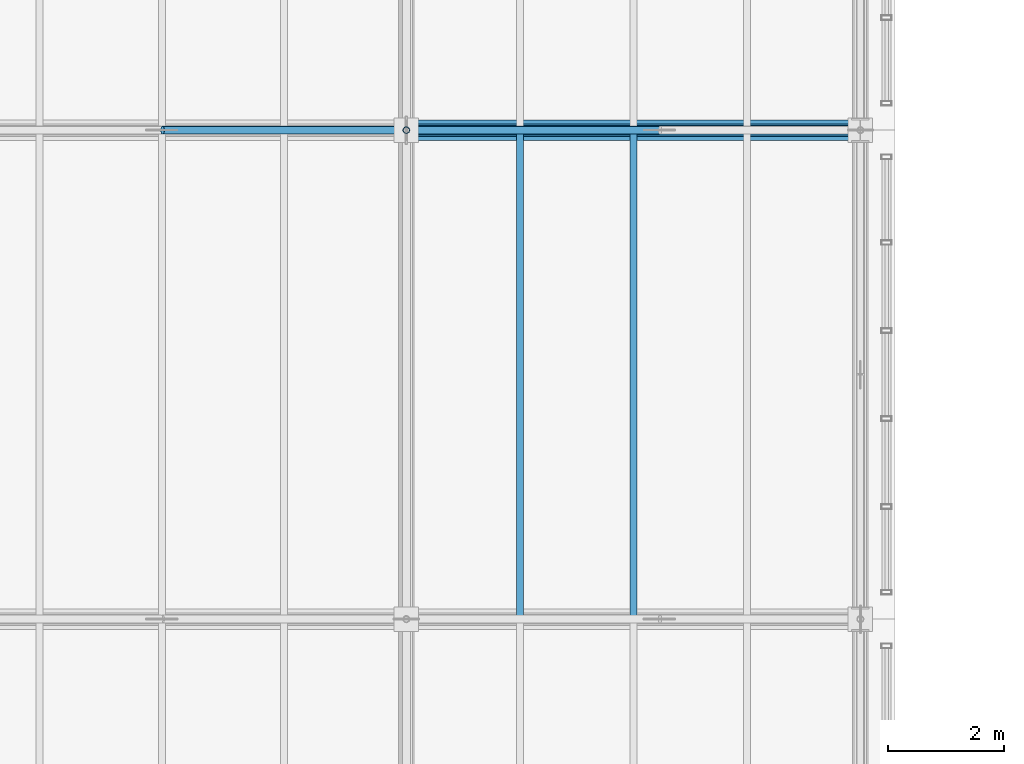
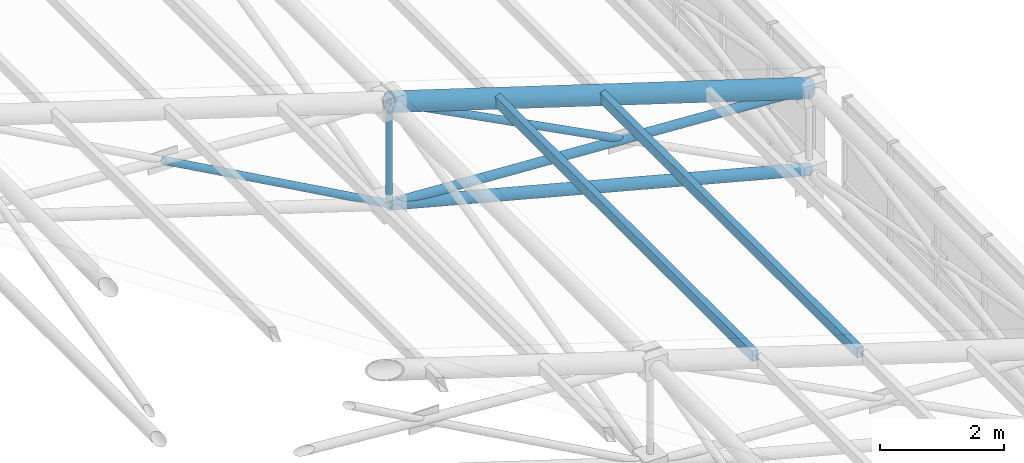
# One storey, part 86 of 144: 8 members.
"""IFC4 building model written with IfcOpenShell, lengths in metres."""

from ifc_helpers import new_model, si_unit, direction, frame, origin, origin_2d, place, context, subcontext, project, spatial, hollow_rectangle, hollow_circle, extrude, material, material_profile, profile_set, type_object, element, save


model = new_model("IFC4")

# Units and contexts
model_context = context("Model", 3, precision=1e-05, world=origin(), true_north=direction((0.0, 1.0)))
body_context = subcontext(model_context, "Body", "Model", "MODEL_VIEW")
ifc_project = project(units=[si_unit("LENGTHUNIT", "METRE"), si_unit("AREAUNIT", "SQUARE_METRE"), si_unit("VOLUMEUNIT", "CUBIC_METRE"), si_unit("PLANEANGLEUNIT", "RADIAN"), si_unit("MASSUNIT", "GRAM", prefix="KILO")], contexts=[model_context])

# Site, building, storey
site_placement = place(None, origin())
site = spatial("IfcSite", under=ifc_project, at=site_placement, CompositionType="ELEMENT")
building_placement = place(site_placement, origin())
building = spatial("IfcBuilding", under=site, at=building_placement, Name="Zayran Congress Hotel", CompositionType="ELEMENT")
storey_placement = place(building_placement, frame((0.0, 0.0, 19.199951171875)))
storey = spatial("IfcBuildingStorey", under=building, at=storey_placement, Name="L04", CompositionType="ELEMENT", Elevation=19.199951171875)

# Members
ifc_material = material(Name="Steel S355", Category="steel")
ifc_material_profile_1 = material_profile(ifc_material, hollow_circle(Radius=0.177734375, WallThickness=0.01611328125, at=origin_2d()), Name="CHS 355.6x16")
ifc_profile_set_1 = profile_set([ifc_material_profile_1], Name="Steel S355")
member_type_1 = type_object("IfcMemberType", Name="TP-SF-TC1", PredefinedType="CHORD", material=ifc_profile_set_1)
member_1_placement = place(storey_placement, frame((84.0, 84.39990234375, 4.652099609375), z_axis=(0.953669693314, 0.0, -0.300855639892), x_axis=(0.0, 1.0, 0.0)))
element("IfcMember", 1, at=member_1_placement, inside=storey, type_object=member_type_1, Name="Space Frame Top Chord X 506", PredefinedType="CHORD", context=body_context, shape_type="SweptSolid", body=[
    extrude(hollow_circle(Radius=0.177734375, WallThickness=0.01611328125, at=origin_2d()), origin(), (0.0, 0.0, 1.0), 8.178955078125),
])
ifc_material_profile_2 = material_profile(ifc_material, hollow_circle(Radius=0.109619140625, WallThickness=0.010009765625, at=origin_2d()), Name="CHS 219.1x10")
ifc_profile_set_2 = profile_set([ifc_material_profile_2], Name="Steel S355")
member_type_2 = type_object("IfcMemberType", Name="TP-SF-BC1", PredefinedType="CHORD", material=ifc_profile_set_2)
member_2_placement = place(storey_placement, frame((84.0, 84.39990234375, 2.650146484375), z_axis=(0.967153699015, 0.0, -0.254192294301), x_axis=(0.0, 1.0, 0.0)))
element("IfcMember", 2, at=member_2_placement, inside=storey, type_object=member_type_2, Name="Space Frame Bottom Chord X 507", PredefinedType="CHORD", context=body_context, shape_type="SweptSolid", body=[
    extrude(hollow_circle(Radius=0.109619140625, WallThickness=0.010009765625, at=origin_2d()), origin(), (0.0, 0.0, 1.0), 8.06494140625),
])
ifc_material_profile_3 = material_profile(ifc_material, hollow_circle(Radius=0.084228515625, WallThickness=0.008056640625, at=origin_2d()), Name="CHS 168.3x8")
ifc_profile_set_3 = profile_set([ifc_material_profile_3], Name="Steel S355")
member_type_3 = type_object("IfcMemberType", Name="TP-SF-DG1", PredefinedType="BRACE", material=ifc_profile_set_3)
member_3_placement = place(storey_placement, frame((84.0, 84.39990234375, 2.650146484375), z_axis=(0.998275019581, 0.0, -0.058711032013), x_axis=(0.0, 1.0, 0.0)))
element("IfcMember", 3, at=member_3_placement, inside=storey, type_object=member_type_3, Name="Space Frame Web Diagonal X 508", PredefinedType="BRACE", context=body_context, shape_type="SweptSolid", body=[
    extrude(hollow_circle(Radius=0.084228515625, WallThickness=0.008056640625, at=origin_2d()), origin(), (0.0, 0.0, 1.0), 7.8134765625),
])
ifc_material_profile_4 = material_profile(ifc_material, hollow_circle(Radius=0.06982421875, WallThickness=0.00634765625, at=origin_2d()), Name="CHS 139.7x6.3")
ifc_profile_set_4 = profile_set([ifc_material_profile_4], Name="Steel S355")
member_type_4 = type_object("IfcMemberType", Name="TP-SF-DG2", PredefinedType="BRACE", material=ifc_profile_set_4)
member_4_placement = place(storey_placement, frame((79.81298828125, 84.39990234375, 4.96875), z_axis=(0.874822952575, 0.0, -0.484442774379), x_axis=(0.0, 1.0, 0.0)))
element("IfcMember", 4, at=member_4_placement, inside=storey, type_object=member_type_4, Name="Space Frame Counter Diagonal X Lower 71", PredefinedType="BRACE", context=body_context, shape_type="SweptSolid", body=[
    extrude(hollow_circle(Radius=0.06982421875, WallThickness=0.00634765625, at=origin_2d()), origin(), (0.0, 0.0, 1.0), 4.7861328125),
])
member_5_placement = place(storey_placement, frame((84.0, 84.39990234375, 4.652099609375), z_axis=(0.887399308867, 0.0, -0.461001590694), x_axis=(0.0, 1.0, 0.0)))
element("IfcMember", 5, at=member_5_placement, inside=storey, type_object=member_type_4, Name="Space Frame Counter Diagonal X Upper 509", PredefinedType="BRACE", context=body_context, shape_type="SweptSolid", body=[
    extrude(hollow_circle(Radius=0.06982421875, WallThickness=0.00634765625, at=origin_2d()), origin(), (0.0, 0.0, 1.0), 4.88232421875),
])
ifc_material_profile_5 = material_profile(ifc_material, hollow_circle(Radius=0.05712890625, WallThickness=0.00634765625, at=origin_2d()), Name="CHS 114.3x6.3")
ifc_profile_set_5 = profile_set([ifc_material_profile_5], Name="Steel S355")
member_type_5 = type_object("IfcMemberType", Name="TP-SF-DG3", PredefinedType="BRACE", material=ifc_profile_set_5)
member_6_placement = place(storey_placement, frame((84.0, 84.39990234375, 2.650146484375), z_axis=(0.0, 0.0, 1.0), x_axis=(0.0, 1.0, 0.0)))
element("IfcMember", 6, at=member_6_placement, inside=storey, type_object=member_type_5, Name="Space Frame Web Strut 513", PredefinedType="BRACE", context=body_context, shape_type="SweptSolid", body=[
    extrude(hollow_circle(Radius=0.05712890625, WallThickness=0.00634765625, at=origin_2d()), origin(), (0.0, 0.0, 1.0), 2.001953125),
])
ifc_material_profile_6 = material_profile(ifc_material, hollow_rectangle(XDim=0.1201171875, YDim=0.199951171875, WallThickness=0.008056640625, at=origin_2d()), Name="RHS 200x120x8")
ifc_profile_set_6 = profile_set([ifc_material_profile_6], Name="Steel S355")
member_type_6 = type_object("IfcMemberType", Name="TP-PR-01", PredefinedType="PURLIN", material=ifc_profile_set_6)
for number, where, z_axis, x_axis, name in (
    (7, (85.949951171875, 76.0, 4.078857421875), (0.0, 1.0, 0.0), (-1.0, 0.0, 0.0), "MEM-PR-V1-0164"),
    (8, (87.89990234375, 76.0, 3.4638671875), (0.0, 1.0, 0.0), (-1.0, 0.0, 0.0), "MEM-PR-V1-0170"),
):
    element("IfcMember", number, at=place(storey_placement, frame(where, z_axis=z_axis, x_axis=x_axis)), inside=storey, type_object=member_type_6, Name=name, PredefinedType="PURLIN", context=body_context, shape_type="SweptSolid", body=[
        extrude(hollow_rectangle(XDim=0.1201171875, YDim=0.199951171875, WallThickness=0.008056640625, at=origin_2d()), origin(), (0.0, 0.0, 1.0), 8.39990234375),
    ])

save(model, "model.ifc")
